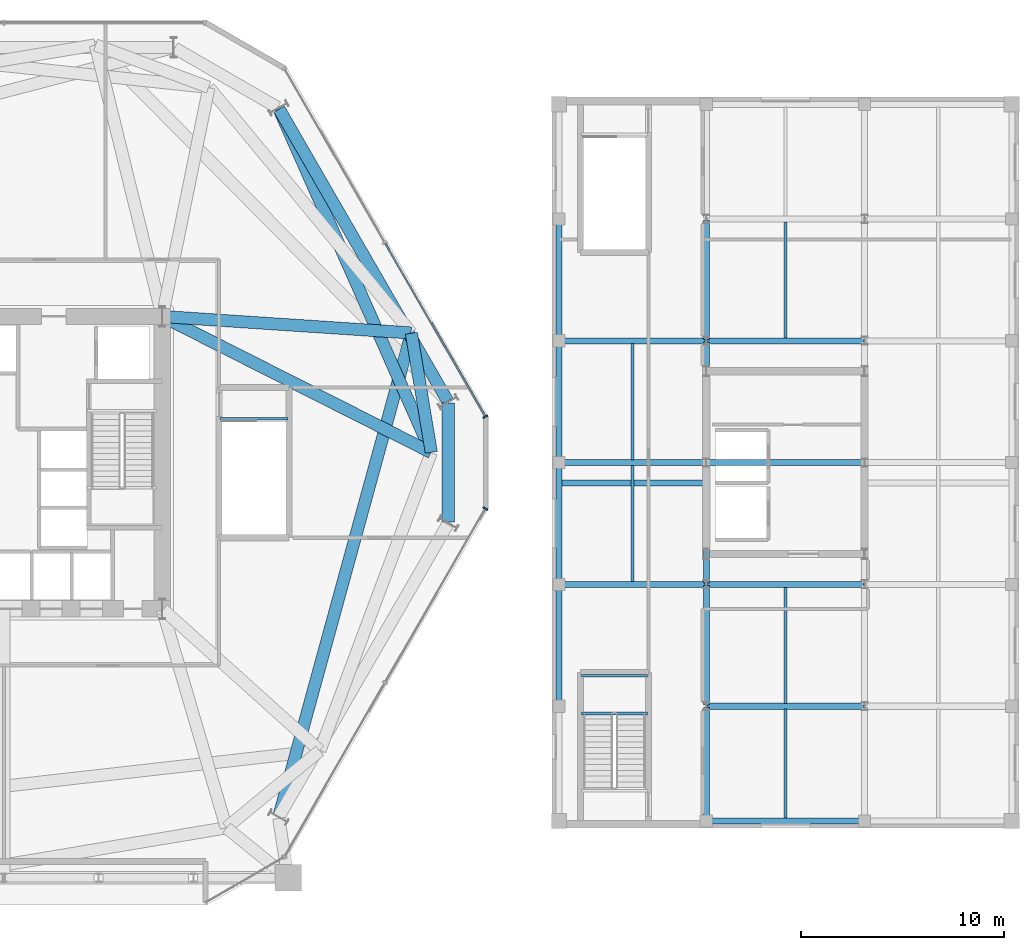
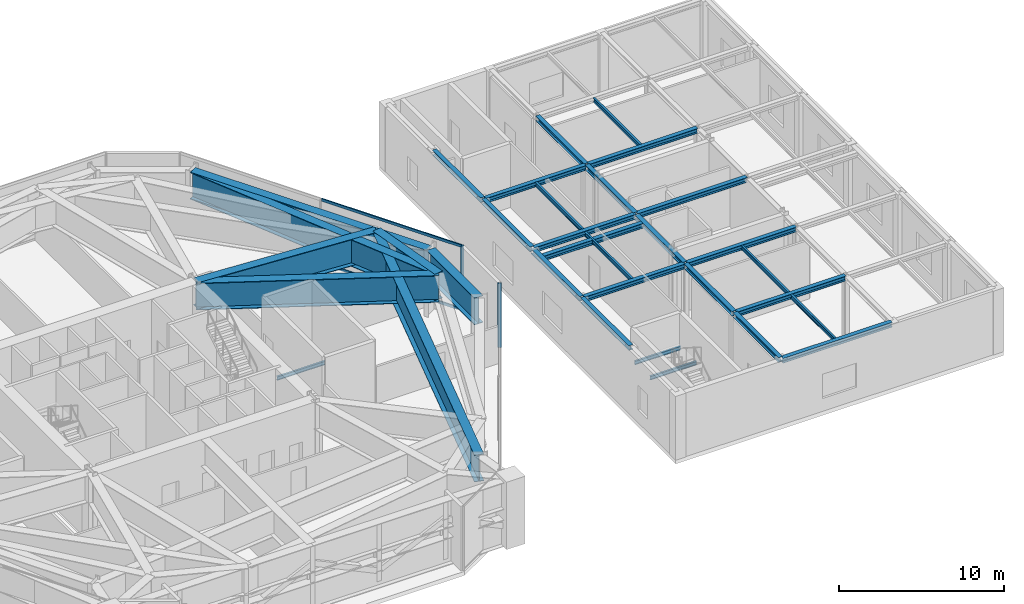
# One storey, part 8 of 16: 33 beams, 4 members, 2 elements without a shape of their own.
"""IFC4 building model written with IfcOpenShell, lengths in metres."""

from ifc_helpers import new_model, si_unit, direction, frame, origin, origin_2d, place, context, subcontext, project, spatial, rectangle, i_section, extrude, material, layer, layer_set, material_profile, profile_set, type_object, element, aggregate, save


model = new_model("IFC4")

# Units and contexts
model_context = context("Model", 3, precision=1e-05, world=origin(), true_north=direction((0.0, 1.0)))
body_context = subcontext(model_context, "Body", "Model", "MODEL_VIEW")
ifc_project = project(units=[si_unit("LENGTHUNIT", "METRE"), si_unit("AREAUNIT", "SQUARE_METRE"), si_unit("VOLUMEUNIT", "CUBIC_METRE"), si_unit("PLANEANGLEUNIT", "RADIAN"), si_unit("MASSUNIT", "GRAM", prefix="KILO")], contexts=[model_context])

# Site, building, storey
site_placement = place(None, origin())
site = spatial("IfcSite", under=ifc_project, at=site_placement, CompositionType="ELEMENT")
building_placement = place(site_placement, origin())
building = spatial("IfcBuilding", under=site, at=building_placement, Name="Kranzbogen Civic Tower", CompositionType="ELEMENT")
storey_placement = place(building_placement, frame((0.0, 0.0, 19.0)))
storey = spatial("IfcBuildingStorey", under=building, at=storey_placement, Name="L04", CompositionType="ELEMENT", Elevation=19.0)

# Curtain wall, member
ifc_material_1 = material(Name="Pale Anodised Aluminium", Category="aluminium")
ifc_layer = layer(ifc_material_1, 0.219970703125, Name="Pale Anodised Aluminium")
ifc_layer_set = layer_set([ifc_layer], Name="Pale Anodised Aluminium")
curtain_wall_type = type_object("IfcCurtainWallType", Name="Podium Stick Curtain Wall System CW-01", PredefinedType="USERDEFINED", material=ifc_layer_set)
curtain_wall_1_placement = place(storey_placement, origin())
curtain_wall_1 = element("IfcCurtainWall", 1, at=curtain_wall_1_placement, inside=storey, type_object=curtain_wall_type, Name="L04 curtain wall CW-L04-F1", ObjectType="STICK CURTAIN WALL", PredefinedType="USERDEFINED")
ifc_material_profile_1 = material_profile(ifc_material_1, rectangle(XDim=0.0849609375, YDim=0.260009765625, at=origin_2d()), Name="ALU-M 85x260")
ifc_profile_set_1 = profile_set([ifc_material_profile_1], Name="Pale Anodised Aluminium")
member_type_1 = type_object("IfcMemberType", Name="Curtain Wall Mullion ALU-M 85x260", PredefinedType="MULLION", material=ifc_profile_set_1)
member_1_placement = place(storey_placement, frame((48.718994140625, 27.262939453125, 0.0), z_axis=(0.0, 0.0, 1.0), x_axis=(-0.500005767433, 0.86602207393, 0.0)))
member_1 = element("IfcMember", 2, at=member_1_placement, type_object=member_type_1, Name="CW-01 mullion 1", PredefinedType="MULLION", context=body_context, shape_type="SweptSolid", body=[
    extrude(rectangle(XDim=0.0849609375, YDim=0.260009765625, at=origin_2d()), origin(), (0.0, 0.0, 1.0), 4.760009765625),
])

curtain_wall_2_placement = place(storey_placement, origin())
curtain_wall_2 = element("IfcCurtainWall", 3, at=curtain_wall_2_placement, inside=storey, type_object=curtain_wall_type, Name="L04 curtain wall CW-L04-F6", ObjectType="STICK CURTAIN WALL", PredefinedType="USERDEFINED")
member_2_placement = place(storey_placement, frame((48.718994140625, 22.737060546875, 0.0), z_axis=(0.0, 0.0, 1.0), x_axis=(0.500005767433, 0.86602207393, 0.0)))
member_2 = element("IfcMember", 4, at=member_2_placement, type_object=member_type_1, Name="CW-01 mullion 3", PredefinedType="MULLION", context=body_context, shape_type="SweptSolid", body=[
    extrude(rectangle(XDim=0.0849609375, YDim=0.260009765625, at=origin_2d()), origin(), (0.0, 0.0, 1.0), 4.760009765625),
])
aggregate(curtain_wall_2, [member_2])

# Member
ifc_material_profile_2 = material_profile(ifc_material_1, rectangle(XDim=0.0849609375, YDim=0.195068359375, at=origin_2d()), Name="ALU-T 85x195")
ifc_profile_set_2 = profile_set([ifc_material_profile_2], Name="Pale Anodised Aluminium")
member_type_2 = type_object("IfcMemberType", Name="Curtain Wall Transom ALU-T 85x195", PredefinedType="USERDEFINED", material=ifc_profile_set_2)
member_3_placement = place(storey_placement, frame((48.7041015625, 27.2890625, 0.030029296875), z_axis=(-0.500021701106, 0.866012874282, 0.0), x_axis=(-0.866012874282, -0.500021701106, 0.0)))
member_3 = element("IfcMember", 5, at=member_3_placement, type_object=member_type_2, Name="CW-01 transom 1.1", ObjectType="TRANSOM", PredefinedType="USERDEFINED", context=body_context, shape_type="SweptSolid", body=[
    extrude(rectangle(XDim=0.0849609375, YDim=0.195068359375, at=origin_2d()), origin(), (0.0, 0.0, 1.0), 9.83984375),
])

member_4_placement = place(storey_placement, frame((48.7041015625, 27.2890625, 4.72998046875), z_axis=(-0.500021701106, 0.866012874282, 0.0), x_axis=(-0.866012874282, -0.500021701106, 0.0)))
member_4 = element("IfcMember", 6, at=member_4_placement, type_object=member_type_2, Name="CW-01 transom 1.2", ObjectType="TRANSOM", PredefinedType="USERDEFINED", context=body_context, shape_type="SweptSolid", body=[
    extrude(rectangle(XDim=0.0849609375, YDim=0.195068359375, at=origin_2d()), origin(), (0.0, 0.0, 1.0), 9.83984375),
])

aggregate(curtain_wall_1, [member_1, member_3, member_4])

# Beams
ifc_material_2 = material(Name="Steel S355", Category="steel")
ifc_material_profile_3 = material_profile(ifc_material_2, i_section(OverallWidth=0.300048828125, OverallDepth=0.360107421875, WebThickness=0.012451171875, FlangeThickness=0.0224609375, at=origin_2d()), Name="HEB 360")
ifc_profile_set_3 = profile_set([ifc_material_profile_3], Name="Steel S355")
beam_type_1 = type_object("IfcBeamType", Name="Health Centre Primary Floor Beam HEB 360", PredefinedType="BEAM", material=ifc_profile_set_3)
beam_1_placement = place(storey_placement, frame((52.409912109375, 24.0, 4.550048828125), z_axis=(1.0, 0.0, 0.0), x_axis=(0.0, 1.0, 0.0)))
element("IfcBeam", 7, at=beam_1_placement, inside=storey, type_object=beam_type_1, Name="L04 Health Centre terr edge beam 1", PredefinedType="BEAM", context=body_context, shape_type="SweptSolid", body=[
    extrude(i_section(OverallWidth=0.300048828125, OverallDepth=0.360107421875, WebThickness=0.012451171875, FlangeThickness=0.0224609375, at=origin_2d()), origin(), (0.0, 0.0, 1.0), 7.130126953125),
])
for number, where, z_axis, x_axis, name in (
    (8, (59.659912109375, 7.35009765625, 4.550048828125), (1.0, 0.0, 0.0), (0.0, 1.0, 0.0), "L04 Health Centre X girder 2-1"),
    (9, (59.659912109375, 13.0, 4.550048828125), (1.0, 0.0, 0.0), (0.0, 1.0, 0.0), "L04 Health Centre X girder 2-2"),
):
    element("IfcBeam", number, at=place(storey_placement, frame(where, z_axis=z_axis, x_axis=x_axis)), inside=storey, type_object=beam_type_1, Name=name, PredefinedType="BEAM", context=body_context, shape_type="SweptSolid", body=[
        extrude(i_section(OverallWidth=0.300048828125, OverallDepth=0.360107421875, WebThickness=0.012451171875, FlangeThickness=0.0224609375, at=origin_2d()), origin(), (0.0, 0.0, 1.0), 7.68017578125),
    ])
beam_2_placement = place(storey_placement, frame((52.409912109375, 19.0, 4.550048828125), z_axis=(1.0, 0.0, 0.0), x_axis=(0.0, 1.0, 0.0)))
element("IfcBeam", 10, at=beam_2_placement, inside=storey, type_object=beam_type_1, Name="L04 Health Centre X girder 1-3", PredefinedType="BEAM", context=body_context, shape_type="SweptSolid", body=[
    extrude(i_section(OverallWidth=0.300048828125, OverallDepth=0.360107421875, WebThickness=0.012451171875, FlangeThickness=0.0224609375, at=origin_2d()), origin(), (0.0, 0.0, 1.0), 7.130126953125),
])
beam_3_placement = place(storey_placement, frame((59.659912109375, 19.0, 4.550048828125), z_axis=(1.0, 0.0, 0.0), x_axis=(0.0, 1.0, 0.0)))
element("IfcBeam", 11, at=beam_3_placement, inside=storey, type_object=beam_type_1, Name="L04 Health Centre X girder 2-3", PredefinedType="BEAM", context=body_context, shape_type="SweptSolid", body=[
    extrude(i_section(OverallWidth=0.300048828125, OverallDepth=0.360107421875, WebThickness=0.012451171875, FlangeThickness=0.0224609375, at=origin_2d()), origin(), (0.0, 0.0, 1.0), 7.68017578125),
])
beam_4_placement = place(storey_placement, frame((52.409912109375, 25.0, 4.590087890625), z_axis=(1.0, 0.0, 0.0), x_axis=(0.0, 1.0, 0.0)))
element("IfcBeam", 12, at=beam_4_placement, inside=storey, type_object=beam_type_1, Name="L04 Health Centre X girder 1-4", PredefinedType="BEAM", context=body_context, shape_type="SweptSolid", body=[
    extrude(i_section(OverallWidth=0.300048828125, OverallDepth=0.360107421875, WebThickness=0.012451171875, FlangeThickness=0.0224609375, at=origin_2d()), origin(), (0.0, 0.0, 1.0), 7.130126953125),
])
beam_5_placement = place(storey_placement, frame((59.659912109375, 25.0, 4.590087890625), z_axis=(1.0, 0.0, 0.0), x_axis=(0.0, 1.0, 0.0)))
element("IfcBeam", 13, at=beam_5_placement, inside=storey, type_object=beam_type_1, Name="L04 Health Centre X girder 2-4", PredefinedType="BEAM", context=body_context, shape_type="SweptSolid", body=[
    extrude(i_section(OverallWidth=0.300048828125, OverallDepth=0.360107421875, WebThickness=0.012451171875, FlangeThickness=0.0224609375, at=origin_2d()), origin(), (0.0, 0.0, 1.0), 7.68017578125),
])
beam_6_placement = place(storey_placement, frame((52.409912109375, 31.0, 4.590087890625), z_axis=(1.0, 0.0, 0.0), x_axis=(0.0, 1.0, 0.0)))
element("IfcBeam", 14, at=beam_6_placement, inside=storey, type_object=beam_type_1, Name="L04 Health Centre X girder 1-5", PredefinedType="BEAM", context=body_context, shape_type="SweptSolid", body=[
    extrude(i_section(OverallWidth=0.300048828125, OverallDepth=0.360107421875, WebThickness=0.012451171875, FlangeThickness=0.0224609375, at=origin_2d()), origin(), (0.0, 0.0, 1.0), 7.130126953125),
])
beam_7_placement = place(storey_placement, frame((59.659912109375, 31.0, 4.590087890625), z_axis=(1.0, 0.0, 0.0), x_axis=(0.0, 1.0, 0.0)))
element("IfcBeam", 15, at=beam_7_placement, inside=storey, type_object=beam_type_1, Name="L04 Health Centre X girder 2-5", PredefinedType="BEAM", context=body_context, shape_type="SweptSolid", body=[
    extrude(i_section(OverallWidth=0.300048828125, OverallDepth=0.360107421875, WebThickness=0.012451171875, FlangeThickness=0.0224609375, at=origin_2d()), origin(), (0.0, 0.0, 1.0), 7.68017578125),
])
beam_8_placement = place(storey_placement, frame((59.60009765625, 7.409912109375, 4.550048828125), z_axis=(0.0, 1.0, 0.0), x_axis=(-1.0, 0.0, 0.0)))
element("IfcBeam", 16, at=beam_8_placement, inside=storey, type_object=beam_type_1, Name="L04 Health Centre Y girder 2-1", PredefinedType="BEAM", context=body_context, shape_type="SweptSolid", body=[
    extrude(i_section(OverallWidth=0.300048828125, OverallDepth=0.360107421875, WebThickness=0.012451171875, FlangeThickness=0.0224609375, at=origin_2d()), origin(), (0.0, 0.0, 1.0), 5.530029296875),
])
for number, where, z_axis, x_axis, name in (
    (17, (52.35009765625, 13.06005859375, 4.550048828125), (0.0, 1.0, 0.0), (-1.0, 0.0, 0.0), "L04 Health Centre Y girder 1-2"),
    (18, (59.60009765625, 13.06005859375, 4.550048828125), (0.0, 1.0, 0.0), (-1.0, 0.0, 0.0), "L04 Health Centre Y girder 2-2"),
    (19, (52.35009765625, 19.06005859375, 4.550048828125), (0.0, 1.0, 0.0), (-1.0, 0.0, 0.0), "L04 Health Centre Y girder 1-3"),
    (20, (59.60009765625, 19.06005859375, 4.550048828125), (0.0, 1.0, 0.0), (-1.0, 0.0, 0.0), "L04 Health Centre Y girder 2-3"),
    (21, (52.35009765625, 25.06005859375, 4.590087890625), (0.0, 1.0, 0.0), (-1.0, 0.0, 0.0), "L04 Health Centre Y girder 1-4"),
    (22, (59.60009765625, 25.06005859375, 4.590087890625), (0.0, 1.0, 0.0), (-1.0, 0.0, 0.0), "L04 Health Centre Y girder 2-4"),
    (23, (52.35009765625, 31.06005859375, 4.590087890625), (0.0, 1.0, 0.0), (-1.0, 0.0, 0.0), "L04 Health Centre Y girder 1-5"),
    (24, (59.60009765625, 31.06005859375, 4.590087890625), (0.0, 1.0, 0.0), (-1.0, 0.0, 0.0), "L04 Health Centre Y girder 2-5"),
):
    element("IfcBeam", number, at=place(storey_placement, frame(where, z_axis=z_axis, x_axis=x_axis)), inside=storey, type_object=beam_type_1, Name=name, PredefinedType="BEAM", context=body_context, shape_type="SweptSolid", body=[
        extrude(i_section(OverallWidth=0.300048828125, OverallDepth=0.360107421875, WebThickness=0.012451171875, FlangeThickness=0.0224609375, at=origin_2d()), origin(), (0.0, 0.0, 1.0), 5.8798828125),
    ])
ifc_material_profile_4 = material_profile(ifc_material_2, i_section(OverallWidth=0.14990234375, OverallDepth=0.300048828125, WebThickness=0.007080078125, FlangeThickness=0.0107421875, at=origin_2d()), Name="IPE 300")
ifc_profile_set_4 = profile_set([ifc_material_profile_4], Name="Steel S355")
beam_type_2 = type_object("IfcBeamType", Name="Health Centre Secondary Joist IPE 300", PredefinedType="JOIST", material=ifc_profile_set_4)
beam_9_placement = place(storey_placement, frame((63.5, 7.489990234375, 4.580078125), z_axis=(0.0, 1.0, 0.0), x_axis=(-1.0, 0.0, 0.0)))
element("IfcBeam", 25, at=beam_9_placement, inside=storey, type_object=beam_type_2, Name="L04 Health Centre secondary joist 2-1", PredefinedType="JOIST", context=body_context, shape_type="SweptSolid", body=[
    extrude(i_section(OverallWidth=0.14990234375, OverallDepth=0.300048828125, WebThickness=0.007080078125, FlangeThickness=0.0107421875, at=origin_2d()), origin(), (0.0, 0.0, 1.0), 5.3701171875),
])
for number, where, z_axis, x_axis, name in (
    (26, (63.5, 13.139892578125, 4.580078125), (0.0, 1.0, 0.0), (-1.0, 0.0, 0.0), "L04 Health Centre secondary joist 2-2"),
    (27, (55.97509765625, 19.139892578125, 4.580078125), (0.0, 1.0, 0.0), (-1.0, 0.0, 0.0), "L04 Health Centre secondary joist 1-3"),
    (28, (55.97509765625, 25.139892578125, 4.6201171875), (0.0, 1.0, 0.0), (-1.0, 0.0, 0.0), "L04 Health Centre secondary joist 1-4"),
    (29, (63.5, 31.139892578125, 4.6201171875), (0.0, 1.0, 0.0), (-1.0, 0.0, 0.0), "L04 Health Centre secondary joist 2-5"),
):
    element("IfcBeam", number, at=place(storey_placement, frame(where, z_axis=z_axis, x_axis=x_axis)), inside=storey, type_object=beam_type_2, Name=name, PredefinedType="JOIST", context=body_context, shape_type="SweptSolid", body=[
        extrude(i_section(OverallWidth=0.14990234375, OverallDepth=0.300048828125, WebThickness=0.007080078125, FlangeThickness=0.0107421875, at=origin_2d()), origin(), (0.0, 0.0, 1.0), 5.72021484375),
    ])
ifc_material_profile_5 = material_profile(ifc_material_2, i_section(OverallWidth=0.135009765625, OverallDepth=0.27001953125, WebThickness=0.006591796875, FlangeThickness=0.01025390625, at=origin_2d()), Name="IPE 270")
ifc_profile_set_5 = profile_set([ifc_material_profile_5], Name="Steel S355")
beam_type_3 = type_object("IfcBeamType", Name="Stair Landing Support Beam IPE 270", PredefinedType="JOIST", material=ifc_profile_set_5)
beam_10_placement = place(storey_placement, frame((35.64990234375, 27.159912109375, -0.43505859375), z_axis=(1.0, 0.0, 0.0), x_axis=(0.0, 1.0, 0.0)))
element("IfcBeam", 30, at=beam_10_placement, inside=storey, type_object=beam_type_3, Name="L04 ST-P2 stair floor header beam", PredefinedType="JOIST", context=body_context, shape_type="SweptSolid", body=[
    extrude(i_section(OverallWidth=0.135009765625, OverallDepth=0.27001953125, WebThickness=0.006591796875, FlangeThickness=0.01025390625, at=origin_2d()), origin(), (0.0, 0.0, 1.0), 3.35009765625),
])
for number, where, z_axis, x_axis, name in (
    (31, (56.699951171875, 12.639892578125, 2.1650390625), (-1.0, 0.0, 0.0), (0.0, -1.0, 0.0), "L04 ST-H1 landing support beam 1.1"),
    (32, (56.699951171875, 14.5, 2.1650390625), (-1.0, 0.0, 0.0), (0.0, -1.0, 0.0), "L04 ST-H1 landing support beam 1.2"),
):
    element("IfcBeam", number, at=place(storey_placement, frame(where, z_axis=z_axis, x_axis=x_axis)), inside=storey, type_object=beam_type_3, Name=name, PredefinedType="JOIST", context=body_context, shape_type="SweptSolid", body=[
        extrude(i_section(OverallWidth=0.135009765625, OverallDepth=0.27001953125, WebThickness=0.006591796875, FlangeThickness=0.01025390625, at=origin_2d()), origin(), (0.0, 0.0, 1.0), 3.25),
    ])
ifc_material_3 = material(Name="Steel S460", Category="steel")
ifc_material_profile_6 = material_profile(ifc_material_3, i_section(OverallWidth=0.60009765625, OverallDepth=2.0, WebThickness=0.028076171875, FlangeThickness=0.0400390625, at=origin_2d()), Name="WPG 2000x600x28x40")
ifc_profile_set_6 = profile_set([ifc_material_profile_6], Name="Steel S460")
beam_type_4 = type_object("IfcBeamType", Name="Welded Transfer Girder WPG 2000x600x28x40", PredefinedType="BEAM", material=ifc_profile_set_6)
beam_11_placement = place(storey_placement, frame((46.889892578125, 22.073974609375, 3.760009765625), z_axis=(0.0, 1.0, 0.0), x_axis=(-1.0, 0.0, 0.0)))
element("IfcBeam", 33, at=beam_11_placement, inside=storey, type_object=beam_type_4, Name="TG-2000: L04 lower perimeter transfer ring girder 06", PredefinedType="BEAM", context=body_context, shape_type="SweptSolid", body=[
    extrude(i_section(OverallWidth=0.60009765625, OverallDepth=2.0, WebThickness=0.028076171875, FlangeThickness=0.0400390625, at=origin_2d()), origin(), (0.0, 0.0, 1.0), 5.85205078125),
])
beam_12_placement = place(storey_placement, frame((46.860107421875, 28.0380859375, 3.760009765625), z_axis=(-0.500010210561, 0.866019508634, 0.0), x_axis=(-0.866019508634, -0.500010210561, 0.0)))
element("IfcBeam", 34, at=beam_12_placement, inside=storey, type_object=beam_type_4, Name="TG-2000: L04 lower perimeter transfer ring girder 07", PredefinedType="BEAM", context=body_context, shape_type="SweptSolid", body=[
    extrude(i_section(OverallWidth=0.60009765625, OverallDepth=2.0, WebThickness=0.028076171875, FlangeThickness=0.0400390625, at=origin_2d()), origin(), (0.0, 0.0, 1.0), 16.597900390625),
])
beam_13_placement = place(storey_placement, frame((46.054931640625, 25.510986328125, 3.760009765625), z_axis=(-0.165098582094, 0.986277069687, 0.0), x_axis=(-0.986277069687, -0.165098582094, 0.0)))
element("IfcBeam", 35, at=beam_13_placement, inside=storey, type_object=beam_type_4, Name="TG-2000: L04 upper perimeter transfer ring girder 07", PredefinedType="BEAM", context=body_context, shape_type="SweptSolid", body=[
    extrude(i_section(OverallWidth=0.60009765625, OverallDepth=2.0, WebThickness=0.028076171875, FlangeThickness=0.0400390625, at=origin_2d()), origin(), (0.0, 0.0, 1.0), 5.941650390625),
])
beam_14_placement = place(storey_placement, frame((32.85400390625, 32.173095703125, 3.760009765625), z_axis=(0.89238295573, -0.451278916328, 0.0), x_axis=(0.451278916328, 0.89238295573, 0.0)))
element("IfcBeam", 36, at=beam_14_placement, inside=storey, type_object=beam_type_4, Name="TG-2000: L04 radial column transfer girder 07", PredefinedType="BEAM", context=body_context, shape_type="SweptSolid", body=[
    extrude(i_section(OverallWidth=0.60009765625, OverallDepth=2.0, WebThickness=0.028076171875, FlangeThickness=0.0400390625, at=origin_2d()), origin(), (0.0, 0.0, 1.0), 14.780517578125),
])
beam_15_placement = place(storey_placement, frame((38.551025390625, 42.41796875, 3.760009765625), z_axis=(0.405477042842, -0.91410522793, 0.0), x_axis=(0.91410522793, 0.405477042842, 0.0)))
element("IfcBeam", 37, at=beam_15_placement, inside=storey, type_object=beam_type_4, Name="TG-2000: L04 perimeter column transfer girder 07", PredefinedType="BEAM", context=body_context, shape_type="SweptSolid", body=[
    extrude(i_section(OverallWidth=0.60009765625, OverallDepth=2.0, WebThickness=0.028076171875, FlangeThickness=0.0400390625, at=origin_2d()), origin(), (0.0, 0.0, 1.0), 18.496826171875),
])
beam_16_placement = place(storey_placement, frame((32.860107421875, 32.196044921875, 3.760009765625), z_axis=(0.99780702088, -0.066190249153, 0.0), x_axis=(0.066190249153, 0.99780702088, 0.0)))
element("IfcBeam", 38, at=beam_16_placement, inside=storey, type_object=beam_type_4, Name="TG-2000: L04 radial column transfer girder 08", PredefinedType="BEAM", context=body_context, shape_type="SweptSolid", body=[
    extrude(i_section(OverallWidth=0.60009765625, OverallDepth=2.0, WebThickness=0.028076171875, FlangeThickness=0.0400390625, at=origin_2d()), origin(), (0.0, 0.0, 1.0), 12.2236328125),
])
beam_17_placement = place(storey_placement, frame((38.5439453125, 7.583984375, 3.760009765625), z_axis=(0.264494813812, 0.964387107684, 0.0), x_axis=(-0.964387107684, 0.264494813812, 0.0)))
element("IfcBeam", 39, at=beam_17_placement, inside=storey, type_object=beam_type_4, Name="TG-2000: L04 perimeter column transfer girder 08", PredefinedType="BEAM", context=body_context, shape_type="SweptSolid", body=[
    extrude(i_section(OverallWidth=0.60009765625, OverallDepth=2.0, WebThickness=0.028076171875, FlangeThickness=0.0400390625, at=origin_2d()), origin(), (0.0, 0.0, 1.0), 24.66650390625),
])

save(model, "model.ifc")
